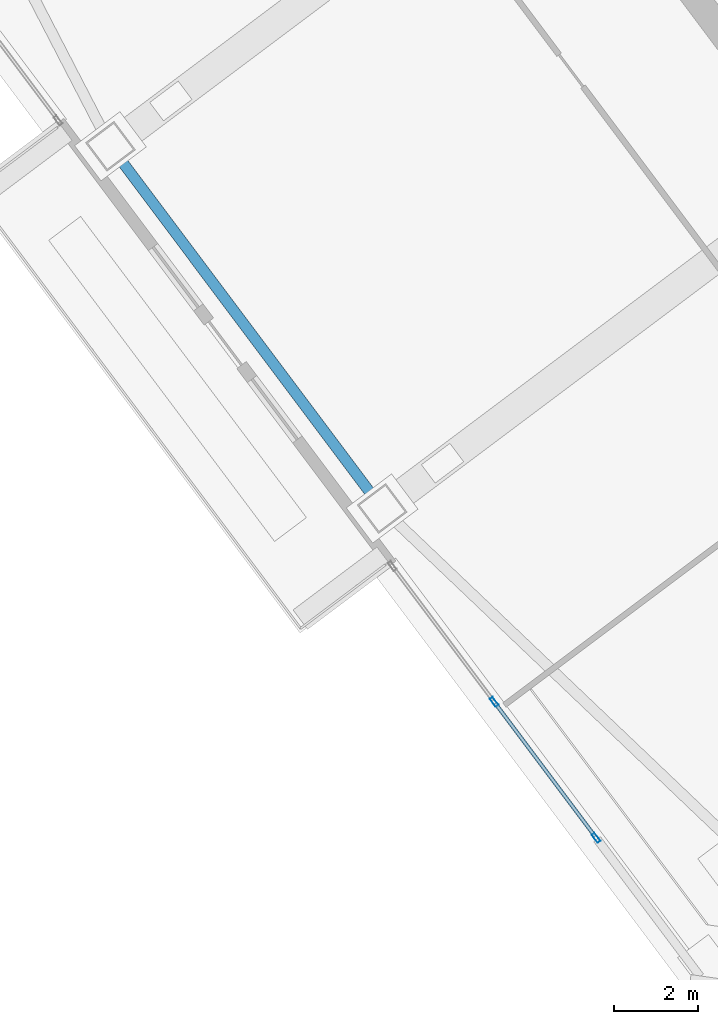
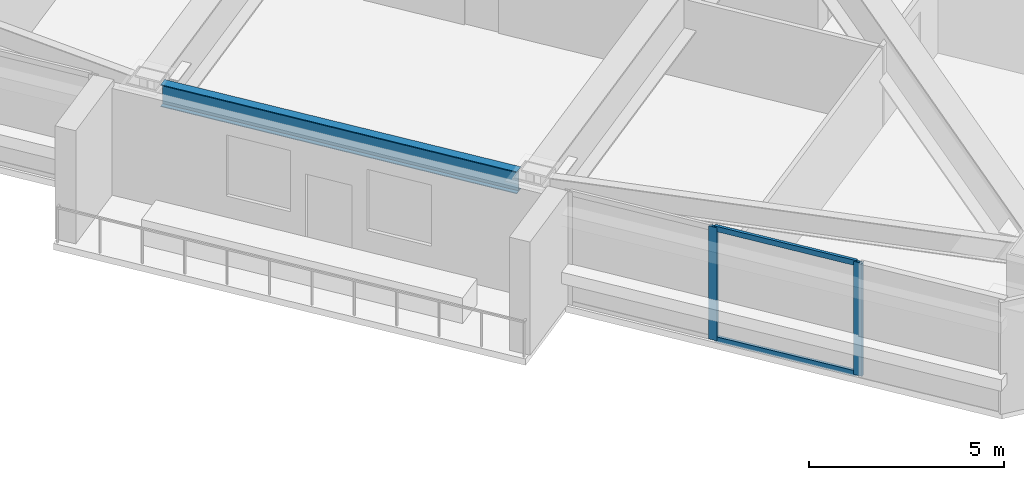
# One storey, part 20 of 48: 4 members, 1 beam, 1 element without a shape of its own.
"""IFC4 building model written with IfcOpenShell, lengths in metres."""

from ifc_helpers import new_model, si_unit, direction, frame, origin, origin_2d, place, context, subcontext, project, spatial, hollow_rectangle, i_section, extrude, material, material_profile, profile_set, type_object, element, aggregate, save


model = new_model("IFC4")

# Units and contexts
model_context = context("Model", 3, precision=1e-05, world=origin(), true_north=direction((0.0, 1.0)))
body_context = subcontext(model_context, "Body", "Model", "MODEL_VIEW")
ifc_project = project(units=[si_unit("LENGTHUNIT", "METRE"), si_unit("AREAUNIT", "SQUARE_METRE"), si_unit("VOLUMEUNIT", "CUBIC_METRE"), si_unit("PLANEANGLEUNIT", "RADIAN"), si_unit("MASSUNIT", "GRAM", prefix="KILO")], contexts=[model_context])

# Site, building, storey
site_placement = place(None, origin())
site = spatial("IfcSite", under=ifc_project, at=site_placement, CompositionType="ELEMENT")
building_placement = place(site_placement, origin())
building = spatial("IfcBuilding", under=site, at=building_placement, Name="Tashvorn Skyway Center", CompositionType="ELEMENT")
storey_placement = place(building_placement, frame((0.0, 0.0, 63.64990234375)))
storey = spatial("IfcBuildingStorey", under=building, at=storey_placement, Name="L16", CompositionType="ELEMENT", Elevation=63.64990234375)

# Beam
ifc_material_1 = material(Name="Steel ASTM A992 Grade 50", Category="steel")
ifc_material_profile_1 = material_profile(ifc_material_1, i_section(OverallWidth=0.256103515625, OverallDepth=0.693115234375, WebThickness=0.014404296875, FlangeThickness=0.023681640625, at=origin_2d()), Name="W27X114")
ifc_profile_set_1 = profile_set([ifc_material_profile_1], Name="Steel ASTM A992 Grade 50")
beam_type = type_object("IfcBeamType", Name="BM-SPANDREL-W27X114", PredefinedType="SPANDREL", material=ifc_profile_set_1)
beam_placement = place(storey_placement, frame((94.172119140625, 23.35400390625, 3.003662109375), z_axis=(0.599988234018, -0.800008824351, 0.0), x_axis=(0.800008824351, 0.599988234018, 0.0)))
element("IfcBeam", 1, at=beam_placement, inside=storey, type_object=beam_type, Name="Tower 2 L16 Spandrel Beam 11", PredefinedType="SPANDREL", context=body_context, shape_type="SweptSolid", body=[
    extrude(i_section(OverallWidth=0.256103515625, OverallDepth=0.693115234375, WebThickness=0.014404296875, FlangeThickness=0.023681640625, at=origin_2d()), origin(), (0.0, 0.0, 1.0), 9.9599609375),
])

# Curtain wall, members
ifc_material_2 = material(Name="Thermally broken bronze-anodized aluminium 6063-T6", Category="aluminium")
curtain_wall_type = type_object("IfcCurtainWallType", Name="CW-CW-Z1", PredefinedType="NOTDEFINED", material=ifc_material_2)
curtain_wall_placement = place(storey_placement, origin())
curtain_wall = element("IfcCurtainWall", 2, at=curtain_wall_placement, inside=storey, type_object=curtain_wall_type, Name="Tower 2 L16 West Curtain Wall L Glazing Group 1", PredefinedType="NOTDEFINED")
ifc_material_profile_2 = material_profile(ifc_material_2, hollow_rectangle(XDim=0.0849609375, YDim=0.239990234375, WallThickness=0.0048828125, at=origin_2d()), Name="ALU-MULL-85x240")
ifc_profile_set_2 = profile_set([ifc_material_profile_2], Name="Thermally broken bronze-anodized aluminium 6063-T6")
member_type_1 = type_object("IfcMemberType", Name="CWM-CW-Z1", PredefinedType="MULLION", material=ifc_profile_set_2)
member_1_placement = place(storey_placement, frame((105.50244140625, 7.19677734375, 0.0), z_axis=(0.0, 0.0, 1.0), x_axis=(-0.799998534192, -0.600001954406, 0.0)))
member_1 = element("IfcMember", 3, at=member_1_placement, type_object=member_type_1, Name="CW-Z1 mullion 1", PredefinedType="MULLION", context=body_context, shape_type="SweptSolid", body=[
    extrude(hollow_rectangle(XDim=0.0849609375, YDim=0.239990234375, WallThickness=0.0048828125, at=origin_2d()), origin(), (0.0, 0.0, 1.0), 3.550048828125),
])
member_2_placement = place(storey_placement, frame((103.072021484375, 10.437255859375, 0.0), z_axis=(0.0, 0.0, 1.0), x_axis=(-0.799998534192, -0.600001954406, 0.0)))
member_2 = element("IfcMember", 4, at=member_2_placement, type_object=member_type_1, Name="CW-Z1 mullion 2", PredefinedType="MULLION", context=body_context, shape_type="SweptSolid", body=[
    extrude(hollow_rectangle(XDim=0.0849609375, YDim=0.239990234375, WallThickness=0.0048828125, at=origin_2d()), origin(), (0.0, 0.0, 1.0), 3.550048828125),
])
ifc_material_profile_3 = material_profile(ifc_material_2, hollow_rectangle(XDim=0.0849609375, YDim=0.1650390625, WallThickness=0.0048828125, at=origin_2d()), Name="ALU-TRAN-85x165")
ifc_profile_set_3 = profile_set([ifc_material_profile_3], Name="Thermally broken bronze-anodized aluminium 6063-T6")
member_type_2 = type_object("IfcMemberType", Name="CWT-CW-Z1", PredefinedType="USERDEFINED", material=ifc_profile_set_3)
member_3_placement = place(storey_placement, frame((105.47705078125, 7.230712890625, 0.04248046875), z_axis=(-0.600029548599, 0.799977837698, 0.0), x_axis=(-0.799977837698, -0.600029548599, 0.0)))
member_3 = element("IfcMember", 5, at=member_3_placement, type_object=member_type_2, Name="CW-Z1 transom 1.1", ObjectType="TRANSOM", PredefinedType="USERDEFINED", context=body_context, shape_type="SweptSolid", body=[
    extrude(hollow_rectangle(XDim=0.0849609375, YDim=0.1650390625, WallThickness=0.0048828125, at=origin_2d()), origin(), (0.0, 0.0, 1.0), 3.9658203125),
])
member_4_placement = place(storey_placement, frame((105.47705078125, 7.230712890625, 3.507568359375), z_axis=(-0.600029548599, 0.799977837698, 0.0), x_axis=(-0.799977837698, -0.600029548599, 0.0)))
member_4 = element("IfcMember", 6, at=member_4_placement, type_object=member_type_2, Name="CW-Z1 transom 1.2", ObjectType="TRANSOM", PredefinedType="USERDEFINED", context=body_context, shape_type="SweptSolid", body=[
    extrude(hollow_rectangle(XDim=0.0849609375, YDim=0.1650390625, WallThickness=0.0048828125, at=origin_2d()), origin(), (0.0, 0.0, 1.0), 3.9658203125),
])
aggregate(curtain_wall, [member_1, member_2, member_3, member_4])

save(model, "model.ifc")
